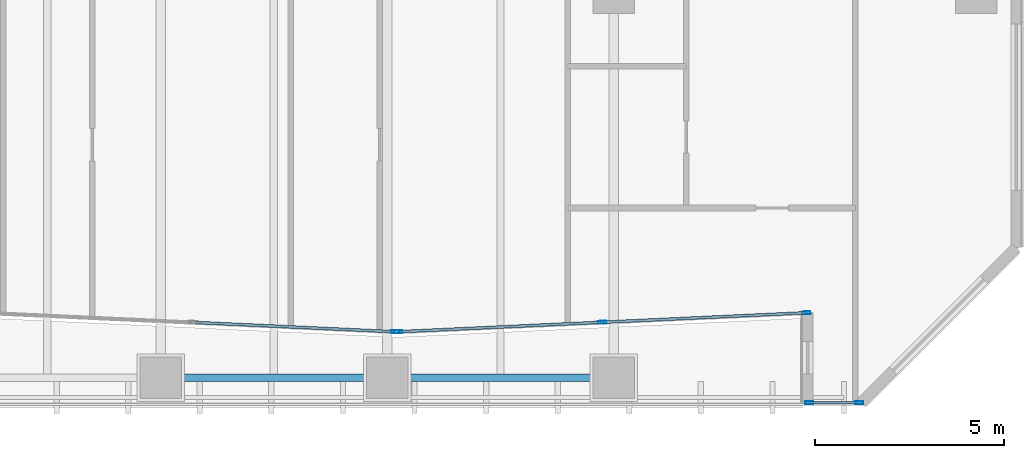
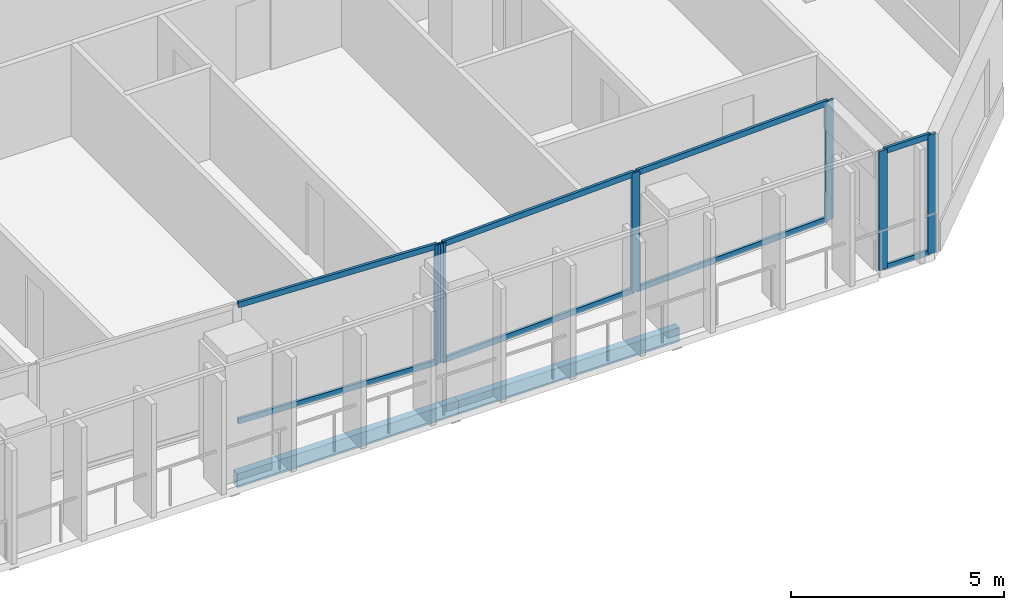
# One storey, part 14 of 31: 14 members, 2 beams, 3 elements without a shape of their own.
"""IFC4 building model written with IfcOpenShell, lengths in metres."""

from ifc_helpers import new_model, si_unit, direction, frame, origin, origin_2d, place, context, subcontext, project, spatial, hollow_rectangle, extrude, material, layer, layer_set, material_profile, profile_set, type_object, element, aggregate, save


model = new_model("IFC4")

# Units and contexts
model_context = context("Model", 3, precision=1e-05, world=origin(), true_north=direction((0.0, 1.0)))
body_context = subcontext(model_context, "Body", "Model", "MODEL_VIEW")
ifc_project = project(units=[si_unit("LENGTHUNIT", "METRE"), si_unit("AREAUNIT", "SQUARE_METRE"), si_unit("VOLUMEUNIT", "CUBIC_METRE"), si_unit("PLANEANGLEUNIT", "RADIAN"), si_unit("MASSUNIT", "GRAM", prefix="KILO")], contexts=[model_context])

# Site, building, storey
site_placement = place(None, origin())
site = spatial("IfcSite", under=ifc_project, at=site_placement, CompositionType="ELEMENT")
building_placement = place(site_placement, origin())
building = spatial("IfcBuilding", under=site, at=building_placement, Name="Tanjung Sevakor Pilgrim Tower", CompositionType="ELEMENT")
storey_placement = place(building_placement, frame((0.0, 0.0, 58.739990234375)))
storey = spatial("IfcBuildingStorey", under=building, at=storey_placement, Name="L16", CompositionType="ELEMENT", Elevation=58.739990234375)

# Beams
ifc_material_1 = material(Name="Steel S355J2", Category="steel")
ifc_material_profile_1 = material_profile(ifc_material_1, hollow_rectangle(XDim=0.199951171875, YDim=0.39990234375, WallThickness=0.01611328125, at=origin_2d()))
ifc_profile_set_1 = profile_set([ifc_material_profile_1], Name="Steel S355J2")
beam_type = type_object("IfcBeamType", Name="BM-B-SP2-RHS_400x200x16", PredefinedType="SPANDREL", material=ifc_profile_set_1)
for number, where, z_axis, x_axis, name in (
    (1, (78.0, 8.39990234375, -0.419921875), (1.0, 0.0, 0.0), (0.0, 1.0, 0.0), "L16 Spandrel MAIN S-15"),
    (2, (84.0, 8.39990234375, -0.419921875), (1.0, 0.0, 0.0), (0.0, 1.0, 0.0), "L16 Spandrel MAIN S-17"),
):
    element("IfcBeam", number, at=place(storey_placement, frame(where, z_axis=z_axis, x_axis=x_axis)), inside=storey, type_object=beam_type, Name=name, PredefinedType="SPANDREL", context=body_context, shape_type="SweptSolid", body=[
        extrude(hollow_rectangle(XDim=0.199951171875, YDim=0.39990234375, WallThickness=0.01611328125, at=origin_2d()), origin(), (0.0, 0.0, 1.0), 6.0),
    ])

# Curtain wall, member
ifc_material_2 = material(Name="Aluminium 6063-T6 and Low-E Glass", Category="aluminium")
ifc_layer = layer(ifc_material_2, 0.199951171875)
ifc_layer_set = layer_set([ifc_layer], Name="CW-SYS-PRAY")
curtain_wall_type = type_object("IfcCurtainWallType", Name="CW-SYS-PRAY", PredefinedType="NOTDEFINED", material=ifc_layer_set)
curtain_wall_1_placement = place(storey_placement, origin())
curtain_wall_1 = element("IfcCurtainWall", 3, at=curtain_wall_1_placement, inside=storey, type_object=curtain_wall_type, Name="L16 Curtain Wall CW-PRY-L16-11", PredefinedType="NOTDEFINED")
ifc_material_3 = material(Name="Aluminium 6063-T6", Category="aluminium")
ifc_material_profile_2 = material_profile(ifc_material_3, hollow_rectangle(XDim=0.074951171875, YDim=0.219970703125, WallThickness=0.0048828125, at=origin_2d()))
ifc_profile_set_2 = profile_set([ifc_material_profile_2], Name="Aluminium 6063-T6")
member_type_1 = type_object("IfcMemberType", Name="TYPE-CWM-2", PredefinedType="MULLION", material=ifc_profile_set_2)
member_1_placement = place(storey_placement, frame((84.212646484375, 9.621826171875, 0.0), z_axis=(0.0, 0.0, 1.0), x_axis=(0.046452337274, 0.998920507529, 0.0)))
member_1 = element("IfcMember", 4, at=member_1_placement, type_object=member_type_1, Name="CW-PRY mullion 3", PredefinedType="MULLION", context=body_context, shape_type="SweptSolid", body=[
    extrude(hollow_rectangle(XDim=0.074951171875, YDim=0.219970703125, WallThickness=0.0048828125, at=origin_2d()), origin(), (0.0, 0.0, 1.0), 3.409912109375),
])

# Curtain wall, members
curtain_wall_2_placement = place(storey_placement, origin())
curtain_wall_2 = element("IfcCurtainWall", 5, at=curtain_wall_2_placement, inside=storey, type_object=curtain_wall_type, Name="L16 Curtain Wall CW-PRY-L16-12", PredefinedType="NOTDEFINED")
member_2_placement = place(storey_placement, frame((84.287353515625, 9.621826171875, 0.0), z_axis=(0.0, 0.0, 1.0), x_axis=(-0.046460335048, 0.99892013558, 0.0)))
member_2 = element("IfcMember", 6, at=member_2_placement, type_object=member_type_1, Name="CW-PRY mullion 1", PredefinedType="MULLION", context=body_context, shape_type="SweptSolid", body=[
    extrude(hollow_rectangle(XDim=0.074951171875, YDim=0.219970703125, WallThickness=0.0048828125, at=origin_2d()), origin(), (0.0, 0.0, 1.0), 3.409912109375),
])
member_3_placement = place(storey_placement, frame((89.695068359375, 9.87353515625, 0.0), z_axis=(0.0, 0.0, 1.0), x_axis=(-0.046460335048, 0.99892013558, 0.0)))
member_3 = element("IfcMember", 7, at=member_3_placement, type_object=member_type_1, Name="CW-PRY mullion 2", PredefinedType="MULLION", context=body_context, shape_type="SweptSolid", body=[
    extrude(hollow_rectangle(XDim=0.074951171875, YDim=0.219970703125, WallThickness=0.0048828125, at=origin_2d()), origin(), (0.0, 0.0, 1.0), 3.409912109375),
])
member_4_placement = place(storey_placement, frame((95.1025390625, 10.125, 0.0), z_axis=(0.0, 0.0, 1.0), x_axis=(-0.046460335048, 0.99892013558, 0.0)))
member_4 = element("IfcMember", 8, at=member_4_placement, type_object=member_type_1, Name="CW-PRY mullion 3", PredefinedType="MULLION", context=body_context, shape_type="SweptSolid", body=[
    extrude(hollow_rectangle(XDim=0.074951171875, YDim=0.219970703125, WallThickness=0.0048828125, at=origin_2d()), origin(), (0.0, 0.0, 1.0), 3.409912109375),
])

curtain_wall_3_placement = place(storey_placement, origin())
curtain_wall_3 = element("IfcCurtainWall", 9, at=curtain_wall_3_placement, inside=storey, type_object=curtain_wall_type, Name="L16 Curtain Wall CW-PRY-L16-14", PredefinedType="NOTDEFINED")
member_5_placement = place(storey_placement, frame((95.177490234375, 7.739990234375, 0.0), z_axis=(0.0, 0.0, 1.0), x_axis=(0.0, 1.0, 0.0)))
member_5 = element("IfcMember", 10, at=member_5_placement, type_object=member_type_1, Name="CW-PRY mullion 1", PredefinedType="MULLION", context=body_context, shape_type="SweptSolid", body=[
    extrude(hollow_rectangle(XDim=0.074951171875, YDim=0.219970703125, WallThickness=0.0048828125, at=origin_2d()), origin(), (0.0, 0.0, 1.0), 3.409912109375),
])
member_6_placement = place(storey_placement, frame((96.50439453125, 7.739990234375, 0.0), z_axis=(0.0, 0.0, 1.0), x_axis=(0.0, 1.0, 0.0)))
member_6 = element("IfcMember", 11, at=member_6_placement, type_object=member_type_1, Name="CW-PRY mullion 2", PredefinedType="MULLION", context=body_context, shape_type="SweptSolid", body=[
    extrude(hollow_rectangle(XDim=0.074951171875, YDim=0.219970703125, WallThickness=0.0048828125, at=origin_2d()), origin(), (0.0, 0.0, 1.0), 3.409912109375),
])

# Member
ifc_material_4 = material(Name="Aluminium 6063-T6", Category="aluminium")
ifc_material_profile_3 = material_profile(ifc_material_4, hollow_rectangle(XDim=0.074951171875, YDim=0.159912109375, WallThickness=0.00439453125, at=origin_2d()))
ifc_profile_set_3 = profile_set([ifc_material_profile_3], Name="Aluminium 6063-T6")
member_type_2 = type_object("IfcMemberType", Name="TYPE-CWT-2", PredefinedType="USERDEFINED", material=ifc_profile_set_3)
member_7_placement = place(storey_placement, frame((78.915771484375, 9.8681640625, 0.03759765625), z_axis=(0.998922137135, -0.046417280627, 0.0), x_axis=(0.046417280627, 0.998922137135, 0.0)))
member_7 = element("IfcMember", 12, at=member_7_placement, type_object=member_type_2, Name="CW-PRY transom 2.1", ObjectType="TRANSOM", PredefinedType="USERDEFINED", context=body_context, shape_type="SweptSolid", body=[
    extrude(hollow_rectangle(XDim=0.074951171875, YDim=0.159912109375, WallThickness=0.00439453125, at=origin_2d()), origin(), (0.0, 0.0, 1.0), 5.264892578125),
])

member_8_placement = place(storey_placement, frame((78.915771484375, 9.8681640625, 3.37255859375), z_axis=(0.998922137135, -0.046417280627, 0.0), x_axis=(0.046417280627, 0.998922137135, 0.0)))
member_8 = element("IfcMember", 13, at=member_8_placement, type_object=member_type_2, Name="CW-PRY transom 2.2", ObjectType="TRANSOM", PredefinedType="USERDEFINED", context=body_context, shape_type="SweptSolid", body=[
    extrude(hollow_rectangle(XDim=0.074951171875, YDim=0.159912109375, WallThickness=0.00439453125, at=origin_2d()), origin(), (0.0, 0.0, 1.0), 5.264892578125),
])

aggregate(curtain_wall_1, [member_1, member_7, member_8])

member_9_placement = place(storey_placement, frame((84.324951171875, 9.623779296875, 0.03759765625), z_axis=(0.998919888621, 0.046465644485, 0.0), x_axis=(-0.046465644485, 0.998919888621, 0.0)))
member_9 = element("IfcMember", 14, at=member_9_placement, type_object=member_type_2, Name="CW-PRY transom 1.1", ObjectType="TRANSOM", PredefinedType="USERDEFINED", context=body_context, shape_type="SweptSolid", body=[
    extrude(hollow_rectangle(XDim=0.074951171875, YDim=0.159912109375, WallThickness=0.00439453125, at=origin_2d()), origin(), (0.0, 0.0, 1.0), 5.33837890625),
])

member_10_placement = place(storey_placement, frame((84.324951171875, 9.623779296875, 3.37255859375), z_axis=(0.998919888621, 0.046465644485, 0.0), x_axis=(-0.046465644485, 0.998919888621, 0.0)))
member_10 = element("IfcMember", 15, at=member_10_placement, type_object=member_type_2, Name="CW-PRY transom 1.2", ObjectType="TRANSOM", PredefinedType="USERDEFINED", context=body_context, shape_type="SweptSolid", body=[
    extrude(hollow_rectangle(XDim=0.074951171875, YDim=0.159912109375, WallThickness=0.00439453125, at=origin_2d()), origin(), (0.0, 0.0, 1.0), 5.33837890625),
])

member_11_placement = place(storey_placement, frame((89.732421875, 9.875244140625, 0.03759765625), z_axis=(0.998919987356, 0.046463521822, 0.0), x_axis=(-0.046463521822, 0.998919987356, 0.0)))
member_11 = element("IfcMember", 16, at=member_11_placement, type_object=member_type_2, Name="CW-PRY transom 2.1", ObjectType="TRANSOM", PredefinedType="USERDEFINED", context=body_context, shape_type="SweptSolid", body=[
    extrude(hollow_rectangle(XDim=0.074951171875, YDim=0.159912109375, WallThickness=0.00439453125, at=origin_2d()), origin(), (0.0, 0.0, 1.0), 5.338623046875),
])

member_12_placement = place(storey_placement, frame((89.732421875, 9.875244140625, 3.37255859375), z_axis=(0.998919987356, 0.046463521822, 0.0), x_axis=(-0.046463521822, 0.998919987356, 0.0)))
member_12 = element("IfcMember", 17, at=member_12_placement, type_object=member_type_2, Name="CW-PRY transom 2.2", ObjectType="TRANSOM", PredefinedType="USERDEFINED", context=body_context, shape_type="SweptSolid", body=[
    extrude(hollow_rectangle(XDim=0.074951171875, YDim=0.159912109375, WallThickness=0.00439453125, at=origin_2d()), origin(), (0.0, 0.0, 1.0), 5.338623046875),
])

aggregate(curtain_wall_2, [member_2, member_3, member_4, member_9, member_10, member_11, member_12])

member_13_placement = place(storey_placement, frame((95.215087890625, 7.739990234375, 0.03759765625), z_axis=(1.0, 0.0, 0.0), x_axis=(0.0, 1.0, 0.0)))
member_13 = element("IfcMember", 18, at=member_13_placement, type_object=member_type_2, Name="CW-PRY transom 1.1", ObjectType="TRANSOM", PredefinedType="USERDEFINED", context=body_context, shape_type="SweptSolid", body=[
    extrude(hollow_rectangle(XDim=0.074951171875, YDim=0.159912109375, WallThickness=0.00439453125, at=origin_2d()), origin(), (0.0, 0.0, 1.0), 1.251953125),
])

member_14_placement = place(storey_placement, frame((95.215087890625, 7.739990234375, 3.37255859375), z_axis=(1.0, 0.0, 0.0), x_axis=(0.0, 1.0, 0.0)))
member_14 = element("IfcMember", 19, at=member_14_placement, type_object=member_type_2, Name="CW-PRY transom 1.2", ObjectType="TRANSOM", PredefinedType="USERDEFINED", context=body_context, shape_type="SweptSolid", body=[
    extrude(hollow_rectangle(XDim=0.074951171875, YDim=0.159912109375, WallThickness=0.00439453125, at=origin_2d()), origin(), (0.0, 0.0, 1.0), 1.251953125),
])

aggregate(curtain_wall_3, [member_5, member_6, member_13, member_14])

save(model, "model.ifc")
